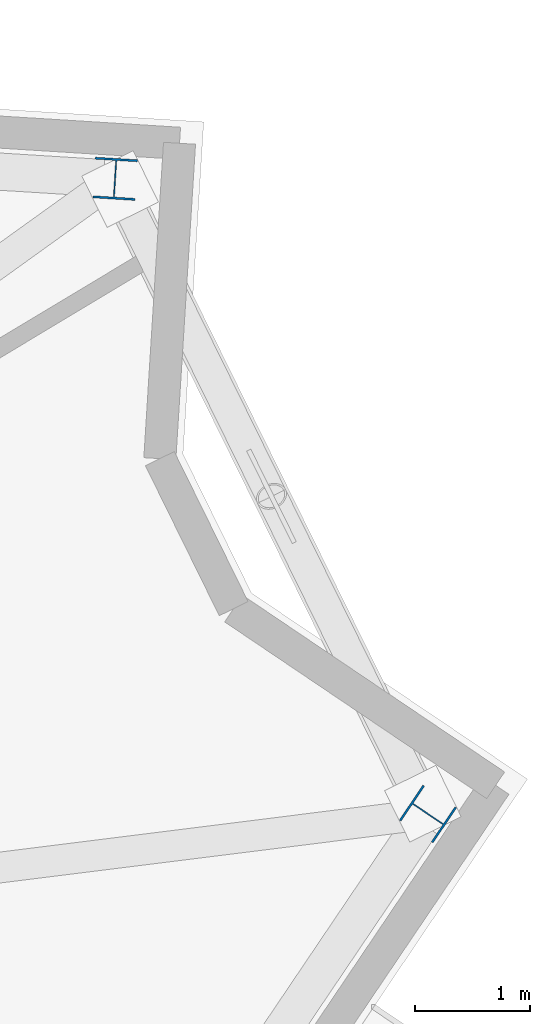
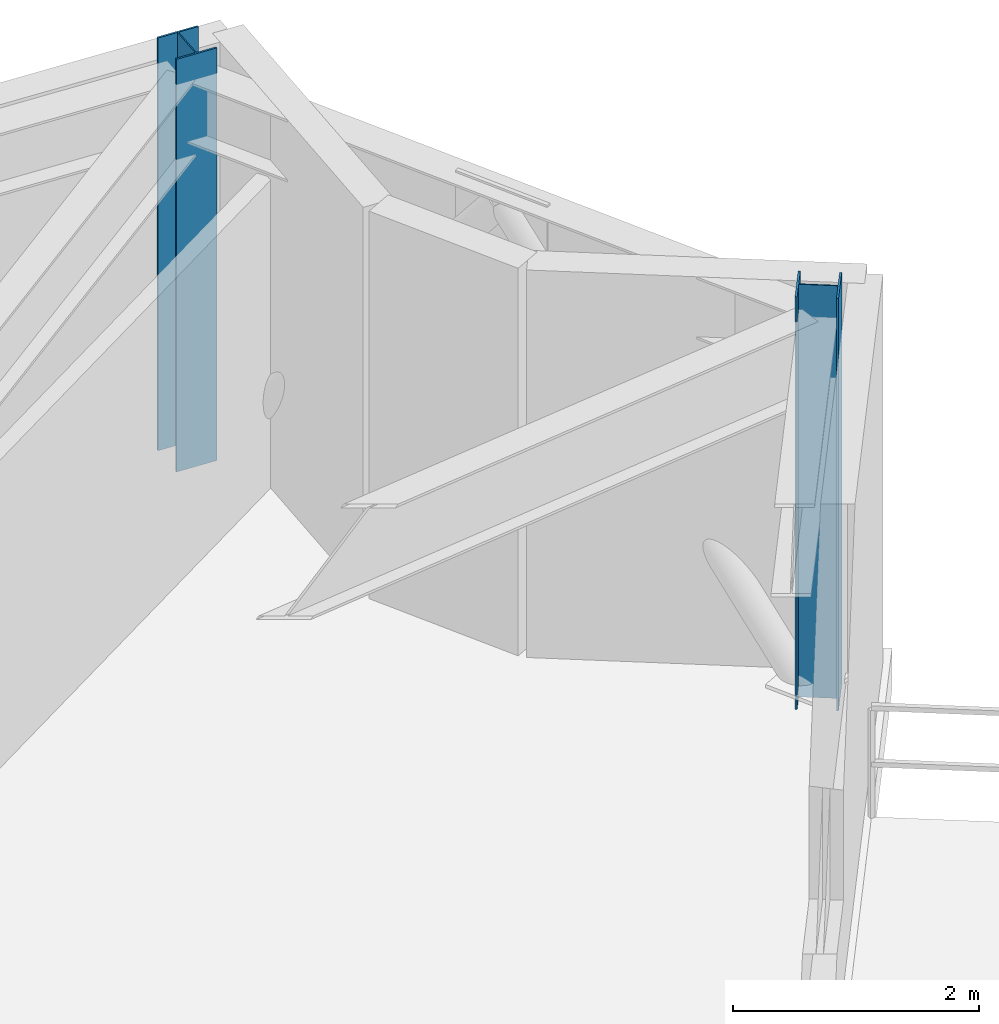
# One storey, part 3 of 11: 2 columns.
"""IFC4 building model written with IfcOpenShell, lengths in metres."""

from ifc_helpers import new_model, si_unit, direction, frame, origin, origin_2d, place, context, subcontext, project, spatial, i_section, extrude, material, material_profile, profile_set, type_object, element, save


model = new_model("IFC4")

# Units and contexts
model_context = context("Model", 3, precision=1e-05, world=origin(), true_north=direction((0.0, 1.0)))
body_context = subcontext(model_context, "Body", "Model", "MODEL_VIEW")
ifc_project = project(units=[si_unit("LENGTHUNIT", "METRE"), si_unit("AREAUNIT", "SQUARE_METRE"), si_unit("VOLUMEUNIT", "CUBIC_METRE"), si_unit("PLANEANGLEUNIT", "RADIAN"), si_unit("MASSUNIT", "GRAM", prefix="KILO")], contexts=[model_context])

# Site, building, storey
site_placement = place(None, origin())
site = spatial("IfcSite", under=ifc_project, at=site_placement, CompositionType="ELEMENT")
building_placement = place(site_placement, origin())
building = spatial("IfcBuilding", under=site, at=building_placement, Name="Apsidion Concourse Tower", CompositionType="ELEMENT")
storey_placement = place(building_placement, frame((0.0, 0.0, 294.199951171875)))
storey = spatial("IfcBuildingStorey", under=building, at=storey_placement, Name="L69", CompositionType="ELEMENT", Elevation=294.199951171875)

# Columns
ifc_material = material(Name="Structural steel ASTM A992 Grade 50", Category="steel")
ifc_material_profile = material_profile(ifc_material, i_section(OverallWidth=0.367919921875, OverallDepth=0.35595703125, WebThickness=0.01123046875, FlangeThickness=0.01806640625, at=origin_2d()), Name="W14X90")
ifc_profile_set = profile_set([ifc_material_profile], Name="Structural steel ASTM A992 Grade 50")
column_type = type_object("IfcColumnType", Name="COL-W14-90", PredefinedType="COLUMN", material=ifc_profile_set)
for number, where, z_axis, x_axis, name in (
    (1, (25.208984375, 8.83251953125, 0.0), (0.0, 0.0, 1.0), (0.559192903471, 0.829037572555, 0.0), "L69 Rotated Perimeter Column PC08"),
    (2, (22.47705078125, 14.378662109375, 0.0), (0.0, 0.0, 1.0), (-0.998081143466, 0.061919553109, 0.0), "L69 Rotated Perimeter Column PC09"),
):
    element("IfcColumn", number, at=place(storey_placement, frame(where, z_axis=z_axis, x_axis=x_axis)), inside=storey, type_object=column_type, Name=name, PredefinedType="COLUMN", context=body_context, shape_type="SweptSolid", body=[
        extrude(i_section(OverallWidth=0.367919921875, OverallDepth=0.35595703125, WebThickness=0.01123046875, FlangeThickness=0.01806640625, at=origin_2d()), origin(), (0.0, 0.0, 1.0), 4.10009765625),
    ])

save(model, "model.ifc")
